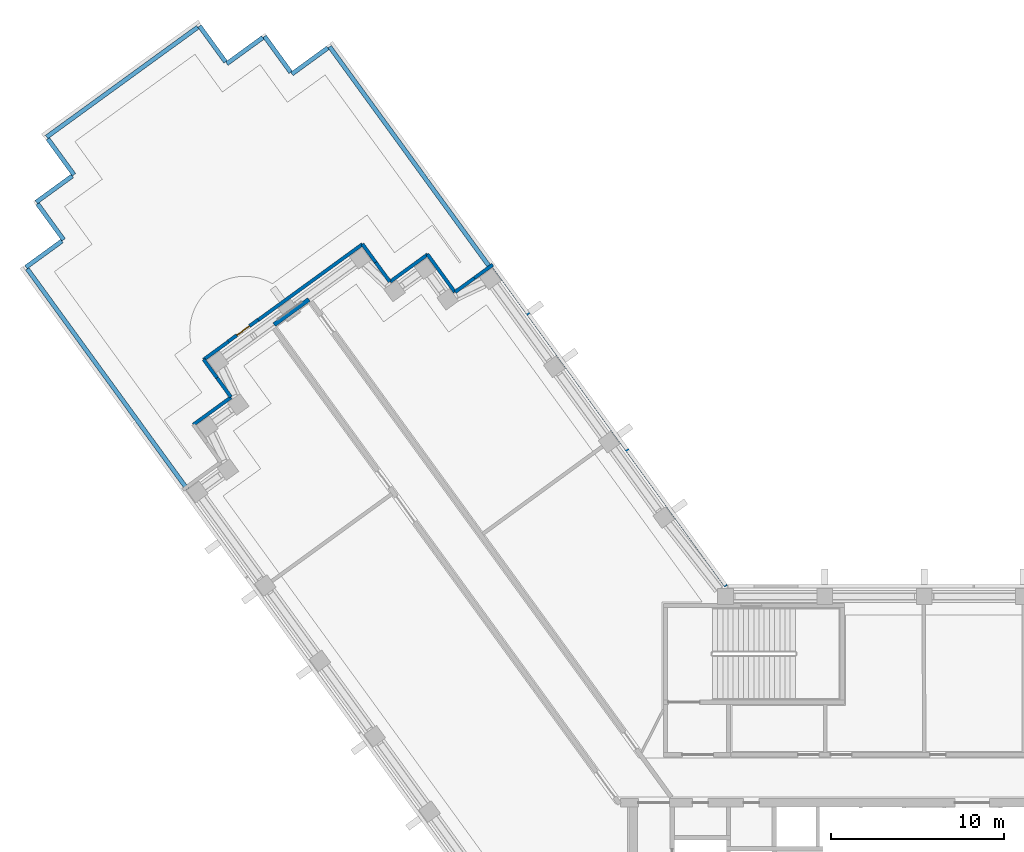
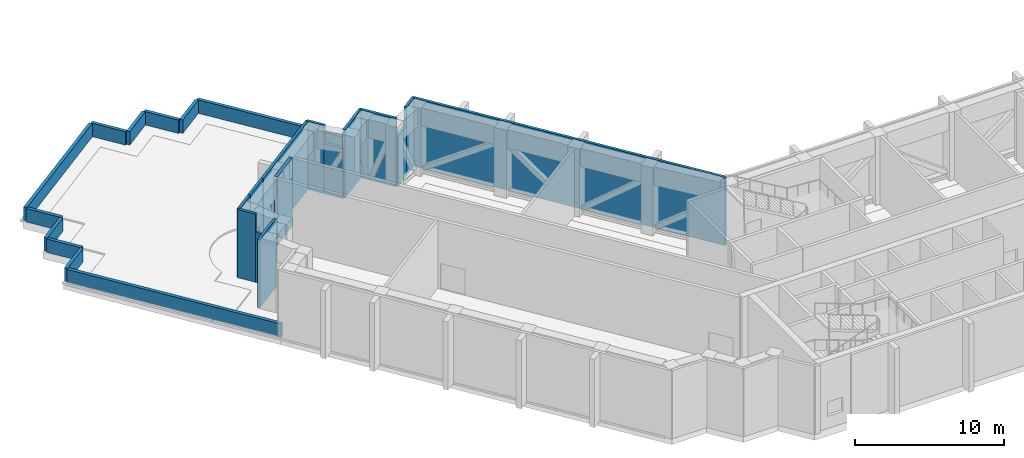
# One storey, part 11 of 16: 25 walls, 1 door, 1 opening.
"""IFC4 building model written with IfcOpenShell, lengths in metres."""

from ifc_helpers import new_model, si_unit, direction, frame, frame_2d, origin, place, context, subcontext, project, spatial, rectangle, extrude, material, layer, layer_set, type_object, element, fill, save


model = new_model("IFC4")

# Units and contexts
model_context = context("Model", 3, precision=1e-05, world=origin(), true_north=direction((0.0, 1.0)))
body_context = subcontext(model_context, "Body", "Model", "MODEL_VIEW")
ifc_project = project(units=[si_unit("LENGTHUNIT", "METRE"), si_unit("AREAUNIT", "SQUARE_METRE"), si_unit("VOLUMEUNIT", "CUBIC_METRE"), si_unit("PLANEANGLEUNIT", "RADIAN"), si_unit("MASSUNIT", "GRAM", prefix="KILO")], contexts=[model_context])

# Site, building, storey
site_placement = place(None, origin())
site = spatial("IfcSite", under=ifc_project, at=site_placement, CompositionType="ELEMENT")
building_placement = place(site_placement, origin())
building = spatial("IfcBuilding", under=site, at=building_placement, Name="Quipu Civic Tower", CompositionType="ELEMENT")
storey_placement = place(building_placement, frame((0.0, 0.0, 133.0)))
storey = spatial("IfcBuildingStorey", under=building, at=storey_placement, Name="L31", CompositionType="ELEMENT", Elevation=133.0)

# Walls
ifc_material_1 = material(Name="Precast concrete C40/50", Category="concrete")
wall_type_1 = type_object("IfcWallType", Name="Concrete parapet", PredefinedType="PARAPET", material=ifc_material_1)
wall_1_placement = place(storey_placement, frame((-45.596923828125, 16.7294921875, 0.0), z_axis=(0.0, 0.0, 1.0), x_axis=(-0.587778570519, 0.809021848926, 0.0)))
element("IfcWall", 1, at=wall_1_placement, inside=storey, type_object=wall_type_1, Name="Parapet L31.1", PredefinedType="PARAPET", context=body_context, shape_type="SweptSolid", body=[
    extrude(rectangle(XDim=15.77001953125, YDim=0.25, at=frame_2d((7.885009765625, 0.0))), origin(), (0.0, 0.0, 1.0), 1.10009765625),
])
wall_2_placement = place(storey_placement, frame((-54.939697265625, 29.5888671875, 0.0), z_axis=(0.0, 0.0, 1.0), x_axis=(0.809010720015, 0.587793888112, 0.0)))
element("IfcWall", 2, at=wall_2_placement, inside=storey, type_object=wall_type_1, Name="Parapet L31.2", PredefinedType="PARAPET", context=body_context, shape_type="SweptSolid", body=[
    extrude(rectangle(XDim=2.57470703125, YDim=0.25, at=frame_2d((1.287353515625, 0.0))), origin(), (0.0, 0.0, 1.0), 1.10009765625),
])
wall_3_placement = place(storey_placement, frame((-52.755615234375, 31.17578125, 0.0), z_axis=(0.0, 0.0, 1.0), x_axis=(-0.587748800394, 0.809043476975, 0.0)))
element("IfcWall", 3, at=wall_3_placement, inside=storey, type_object=wall_type_1, Name="Parapet L31.3", PredefinedType="PARAPET", context=body_context, shape_type="SweptSolid", body=[
    extrude(rectangle(XDim=2.574951171875, YDim=0.25, at=frame_2d((1.28759765625, 0.0))), origin(), (0.0, 0.0, 1.0), 1.10009765625),
])
wall_4_placement = place(storey_placement, frame((-54.342529296875, 33.360107421875, 0.0), z_axis=(0.0, 0.0, 1.0), x_axis=(0.808998391935, 0.587810855502, 0.0)))
element("IfcWall", 4, at=wall_4_placement, inside=storey, type_object=wall_type_1, Name="Parapet L31.4", PredefinedType="PARAPET", context=body_context, shape_type="SweptSolid", body=[
    extrude(rectangle(XDim=2.5751953125, YDim=0.25, at=frame_2d((1.28759765625, 0.0))), origin(), (0.0, 0.0, 1.0), 1.10009765625),
])
wall_5_placement = place(storey_placement, frame((-52.158203125, 34.947265625, 0.0), z_axis=(0.0, 0.0, 1.0), x_axis=(-0.587748800394, 0.809043476975, 0.0)))
element("IfcWall", 5, at=wall_5_placement, inside=storey, type_object=wall_type_1, Name="Parapet L31.5", PredefinedType="PARAPET", context=body_context, shape_type="SweptSolid", body=[
    extrude(rectangle(XDim=2.574951171875, YDim=0.25, at=frame_2d((1.28759765625, 0.0))), origin(), (0.0, 0.0, 1.0), 1.10009765625),
])
wall_6_placement = place(storey_placement, frame((-53.7451171875, 37.131591796875, 0.0), z_axis=(0.0, 0.0, 1.0), x_axis=(0.809014924719, 0.587788100918, 0.0)))
element("IfcWall", 6, at=wall_6_placement, inside=storey, type_object=wall_type_1, Name="Parapet L31.6", PredefinedType="PARAPET", context=body_context, shape_type="SweptSolid", body=[
    extrude(rectangle(XDim=10.824951171875, YDim=0.25, at=frame_2d((5.41259765625, 0.0))), origin(), (0.0, 0.0, 1.0), 1.10009765625),
])
wall_7_placement = place(storey_placement, frame((-44.886474609375, 43.56787109375, 0.0), z_axis=(0.0, 0.0, 1.0), x_axis=(0.587810855502, -0.808998391935, 0.0)))
element("IfcWall", 7, at=wall_7_placement, inside=storey, type_object=wall_type_1, Name="Parapet L31.7", PredefinedType="PARAPET", context=body_context, shape_type="SweptSolid", body=[
    extrude(rectangle(XDim=2.5751953125, YDim=0.25, at=frame_2d((1.28759765625, 0.0))), origin(), (0.0, 0.0, 1.0), 1.10009765625),
])
wall_8_placement = place(storey_placement, frame((-43.29931640625, 41.383544921875, 0.0), z_axis=(0.0, 0.0, 1.0), x_axis=(0.809010720015, 0.587793888112, 0.0)))
element("IfcWall", 8, at=wall_8_placement, inside=storey, type_object=wall_type_1, Name="Parapet L31.8", PredefinedType="PARAPET", context=body_context, shape_type="SweptSolid", body=[
    extrude(rectangle(XDim=2.57470703125, YDim=0.25, at=frame_2d((1.287353515625, 0.0))), origin(), (0.0, 0.0, 1.0), 1.10009765625),
])
wall_9_placement = place(storey_placement, frame((-41.114990234375, 42.970458984375, 0.0), z_axis=(0.0, 0.0, 1.0), x_axis=(0.587748800394, -0.809043476975, 0.0)))
element("IfcWall", 9, at=wall_9_placement, inside=storey, type_object=wall_type_1, Name="Parapet L31.9", PredefinedType="PARAPET", context=body_context, shape_type="SweptSolid", body=[
    extrude(rectangle(XDim=2.574951171875, YDim=0.25, at=frame_2d((1.28759765625, 0.0))), origin(), (0.0, 0.0, 1.0), 1.10009765625),
])
wall_10_placement = place(storey_placement, frame((-39.528076171875, 40.7861328125, 0.0), z_axis=(0.0, 0.0, 1.0), x_axis=(0.808998391935, 0.587810855502, 0.0)))
element("IfcWall", 10, at=wall_10_placement, inside=storey, type_object=wall_type_1, Name="Parapet L31.10", PredefinedType="PARAPET", context=body_context, shape_type="SweptSolid", body=[
    extrude(rectangle(XDim=2.5751953125, YDim=0.25, at=frame_2d((1.28759765625, 0.0))), origin(), (0.0, 0.0, 1.0), 1.10009765625),
])
wall_11_placement = place(storey_placement, frame((-37.34375, 42.373291015625, 0.0), z_axis=(0.0, 0.0, 1.0), x_axis=(0.587788703145, -0.809014487172, 0.0)))
element("IfcWall", 11, at=wall_11_placement, inside=storey, type_object=wall_type_1, Name="Parapet L31.11", PredefinedType="PARAPET", context=body_context, shape_type="SweptSolid", body=[
    extrude(rectangle(XDim=15.770263671875, YDim=0.25, at=frame_2d((7.88525390625, 0.0))), origin(), (0.0, 0.0, 1.0), 1.10009765625),
])
ifc_material_2 = material(Name="Concrete C50/60", Category="concrete")
ifc_layer = layer(ifc_material_2, 0.25)
ifc_layer_set = layer_set([ifc_layer], Name="Concrete C50/60")
wall_type_2 = type_object("IfcWallType", Name="Corridor wall 250 concrete", PredefinedType="SOLIDWALL", material=ifc_layer_set)
wall_12_placement = place(storey_placement, frame((-40.555908203125, 26.25732421875, 0.0), z_axis=(0.0, 0.0, 1.0), x_axis=(0.809045768422, 0.587745646176, 0.0)))
element("IfcWall", 12, at=wall_12_placement, inside=storey, type_object=wall_type_2, Name="Corridor wall C04", PredefinedType="SOLIDWALL", context=body_context, shape_type="SweptSolid", body=[
    extrude(rectangle(XDim=2.48779296875, YDim=0.25, at=frame_2d((1.243896484375, 0.0))), origin(), (0.0, 0.0, 1.0), 5.60009765625),
])
ifc_material_3 = material(Name="Precast concrete C40/50", Category="concrete")
wall_type_3 = type_object("IfcWallType", Name="Precast cladding wall", PredefinedType="SOLIDWALL", material=ifc_material_3)
wall_13_placement = place(storey_placement, frame((-14.35400390625, 11.093017578125, 0.0), z_axis=(0.0, 0.0, 1.0), x_axis=(-0.587790518608, 0.809013168147, 0.0)))
element("IfcWall", 13, at=wall_13_placement, inside=storey, type_object=wall_type_3, Name="Precast cladding wall L31 1", PredefinedType="SOLIDWALL", context=body_context, shape_type="SweptSolid", body=[
    extrude(rectangle(XDim=23.044189453125, YDim=0.199951171875, at=frame_2d((11.52197265625, 0.0))), origin(), (0.0, 0.0, 1.0), 5.60009765625),
])
wall_14_placement = place(storey_placement, frame((-27.88232421875, 29.7333984375, 0.0), z_axis=(0.0, 0.0, 1.0), x_axis=(-0.809064357795, -0.587720056613, 0.0)))
element("IfcWall", 14, at=wall_14_placement, inside=storey, type_object=wall_type_3, Name="Precast cladding wall L31 2", PredefinedType="SOLIDWALL", context=body_context, shape_type="SweptSolid", body=[
    extrude(rectangle(XDim=1.318115234375, YDim=0.199951171875, at=frame_2d((0.6591796875, 0.0))), origin(), (0.0, 0.0, 1.0), 5.60009765625),
])
wall_15_placement = place(storey_placement, frame((-28.94873046875, 28.958740234375, 0.0), z_axis=(0.0, 0.0, 1.0), x_axis=(-0.809003403559, -0.587803957991, 0.0)))
element("IfcWall", 15, at=wall_15_placement, inside=storey, type_object=wall_type_3, Name="Precast cladding wall L31 2 a", PredefinedType="SOLIDWALL", context=body_context, shape_type="SweptSolid", body=[
    extrude(rectangle(XDim=1.3818359375, YDim=0.199951171875, at=frame_2d((0.69091796875, 0.0))), origin(), (0.0, 0.0, 1.0), 4.10009765625),
])
for number, where, z_axis, x_axis, name in (
    (16, (-30.08349609375, 28.149169921875, 0.0), (0.0, 0.0, 1.0), (-0.587762999008, 0.809033161865, 0.0), "Precast cladding wall L31 3"),
    (17, (-31.653564453125, 30.330810546875, 0.0), (0.0, 0.0, 1.0), (-0.809033161865, -0.587762999008, 0.0), "Precast cladding wall L31 4"),
):
    element("IfcWall", number, at=place(storey_placement, frame(where, z_axis=z_axis, x_axis=x_axis)), inside=storey, type_object=wall_type_3, Name=name, PredefinedType="SOLIDWALL", context=body_context, shape_type="SweptSolid", body=[
        extrude(rectangle(XDim=2.699951171875, YDim=0.199951171875, at=frame_2d((1.35009765625, 0.0))), origin(), (0.0, 0.0, 1.0), 5.60009765625),
    ])
wall_16_placement = place(storey_placement, frame((-33.854736328125, 28.746337890625, 0.0), z_axis=(0.0, 0.0, 1.0), x_axis=(-0.587847138415, 0.808972027858, 0.0)))
element("IfcWall", 18, at=wall_16_placement, inside=storey, type_object=wall_type_3, Name="Precast cladding wall L31 5", PredefinedType="SOLIDWALL", context=body_context, shape_type="SweptSolid", body=[
    extrude(rectangle(XDim=1.38671875, YDim=0.199951171875, at=frame_2d((0.693359375, 0.0))), origin(), (0.0, 0.0, 1.0), 4.10009765625),
])
wall_17_placement = place(storey_placement, frame((-34.669921875, 29.8681640625, 0.0), z_axis=(0.0, 0.0, 1.0), x_axis=(-0.587707438817, 0.809073523457, 0.0)))
element("IfcWall", 19, at=wall_17_placement, inside=storey, type_object=wall_type_3, Name="Precast cladding wall L31 5 a", PredefinedType="SOLIDWALL", context=body_context, shape_type="SweptSolid", body=[
    extrude(rectangle(XDim=1.3134765625, YDim=0.199951171875, at=frame_2d((0.65673828125, 0.0))), origin(), (0.0, 0.0, 1.0), 5.60009765625),
])
wall_18_placement = place(storey_placement, frame((-35.425048828125, 30.92822265625, 0.0), z_axis=(0.0, 0.0, 1.0), x_axis=(-0.809001309088, -0.587806840633, 0.0)))
element("IfcWall", 20, at=wall_18_placement, inside=storey, type_object=wall_type_3, Name="Precast cladding wall L31 6", PredefinedType="SOLIDWALL", context=body_context, shape_type="SweptSolid", body=[
    extrude(rectangle(XDim=7.481201171875, YDim=0.199951171875, at=frame_2d((3.74072265625, 0.0))), origin(), (0.0, 0.0, 1.0), 5.60009765625),
])
wall_19_placement = place(storey_placement, frame((-43.206787109375, 25.2744140625, 0.0), z_axis=(0.0, 0.0, 1.0), x_axis=(-0.808955331464, -0.587870114648, 0.0)))
element("IfcWall", 21, at=wall_19_placement, inside=storey, type_object=wall_type_3, Name="Precast cladding wall L31 8", PredefinedType="SOLIDWALL", context=body_context, shape_type="SweptSolid", body=[
    extrude(rectangle(XDim=1.78125, YDim=0.199951171875, at=frame_2d((0.890625, 0.0))), origin(), (0.0, 0.0, 1.0), 5.60009765625),
])
wall_20_placement = place(storey_placement, frame((-44.645263671875, 24.244140625, 0.0), z_axis=(0.0, 0.0, 1.0), x_axis=(0.587797718958, -0.809007936665, 0.0)))
element("IfcWall", 22, at=wall_20_placement, inside=storey, type_object=wall_type_3, Name="Precast cladding wall L31 9", PredefinedType="SOLIDWALL", context=body_context, shape_type="SweptSolid", body=[
    extrude(rectangle(XDim=1.320068359375, YDim=0.199951171875, at=frame_2d((0.66015625, 0.0))), origin(), (0.0, 0.0, 1.0), 5.60009765625),
])
wall_21_placement = place(storey_placement, frame((-43.869384765625, 23.17626953125, 0.0), z_axis=(0.0, 0.0, 1.0), x_axis=(0.587845576324, -0.808973162964, 0.0)))
element("IfcWall", 23, at=wall_21_placement, inside=storey, type_object=wall_type_3, Name="Precast cladding wall L31 9 a", PredefinedType="SOLIDWALL", context=body_context, shape_type="SweptSolid", body=[
    extrude(rectangle(XDim=1.380126953125, YDim=0.199951171875, at=frame_2d((0.68994140625, 0.0))), origin(), (0.0, 0.0, 1.0), 4.10009765625),
])
wall_22_placement = place(storey_placement, frame((-43.060791015625, 22.04296875, 0.0), z_axis=(0.0, 0.0, 1.0), x_axis=(-0.809033161865, -0.587762999008, 0.0)))
element("IfcWall", 24, at=wall_22_placement, inside=storey, type_object=wall_type_3, Name="Precast cladding wall L31 10", PredefinedType="SOLIDWALL", context=body_context, shape_type="SweptSolid", body=[
    extrude(rectangle(XDim=2.699951171875, YDim=0.199951171875, at=frame_2d((1.35009765625, 0.0))), origin(), (0.0, 0.0, 1.0), 5.60009765625),
])

# Wall, opening, door
ifc_material_4 = material(Name="Precast concrete C40/50", Category="concrete")
wall_type_4 = type_object("IfcWallType", Name="Precast door surround", PredefinedType="SOLIDWALL", material=ifc_material_4)
wall_23_placement = place(storey_placement, frame((-43.2138671875, 25.2841796875, 0.0), z_axis=(0.0, 0.0, 1.0), x_axis=(0.809022465264, 0.587777722186, 0.0)))
wall_23 = element("IfcWall", 25, at=wall_23_placement, inside=storey, type_object=wall_type_4, Name="Door surround RA-L31-1", PredefinedType="SOLIDWALL", context=body_context, shape_type="SweptSolid", body=[
    extrude(rectangle(XDim=2.137451171875, YDim=0.199951171875, at=frame_2d((1.06884765625, 0.0))), origin(), (0.0, 0.0, 1.0), 5.60009765625),
])
opening_placement = place(wall_23_placement, frame((0.61865234375, 0.0, 0.0)))
opening = element("IfcOpeningElement", 26, at=opening_placement, cuts=wall_23, Name="Opening RA-L31-1", PredefinedType="OPENING", context=body_context, shape_type="SweptSolid", body=[
    extrude(rectangle(XDim=0.89990234375, YDim=2.10009765625, at=frame_2d((0.449951171875, 1.050048828125))), frame((0.0, 0.10986328125, 0.0), z_axis=(0.0, -1.0, 0.0), x_axis=(1.0, 0.0, 0.0)), (0.0, 0.0, 1.0), 0.219970703125),
])
ifc_material_5 = material(Name="Steel framed door", Category="steel")
door_type = type_object("IfcDoorType", Name="Roof access door", OperationType="SINGLE_SWING_RIGHT", PredefinedType="DOOR", material=ifc_material_5)
door_placement = place(opening_placement, origin())
door = element("IfcDoor", 27, at=door_placement, inside=storey, type_object=door_type, Name="E5 door RA-L31-1", OperationType="SINGLE_SWING_RIGHT", OverallHeight=2.10009765625, OverallWidth=0.89990234375, PredefinedType="DOOR", context=body_context, shape_type="SweptSolid", body=[
    extrude(rectangle(XDim=0.89990234375, YDim=2.10009765625, at=frame_2d((0.449951171875, 1.050048828125))), frame((0.0, 0.02490234375, 0.0), z_axis=(0.0, -1.0, 0.0), x_axis=(1.0, 0.0, 0.0)), (0.0, 0.0, 1.0), 0.050048828125),
])
fill(opening, door)

save(model, "model.ifc")
